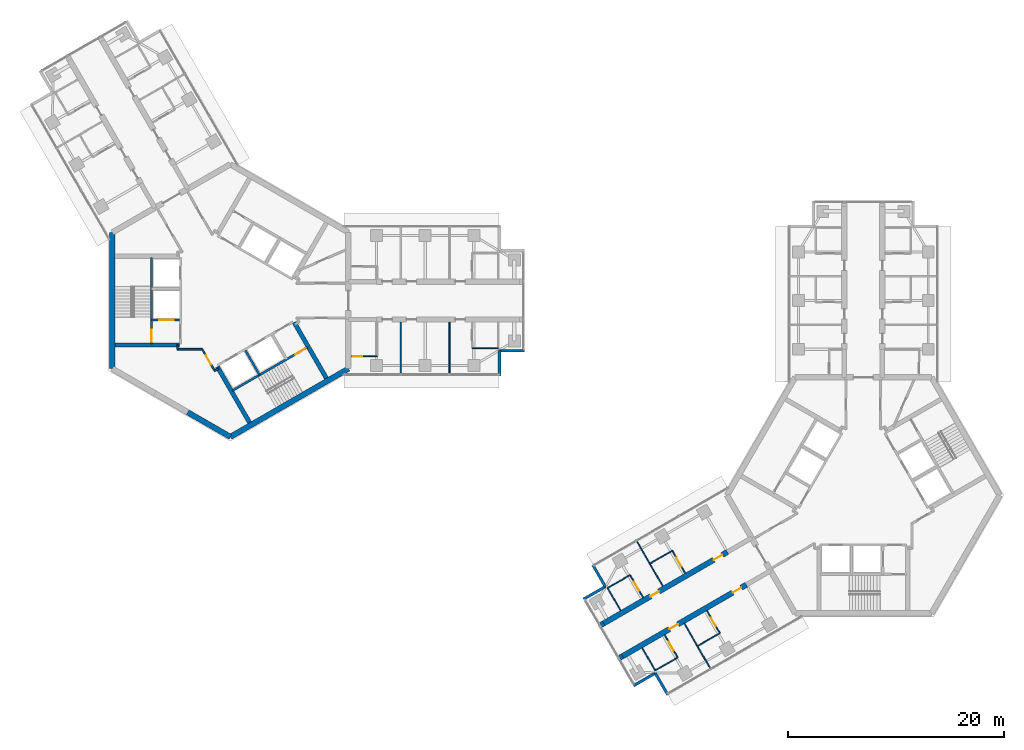
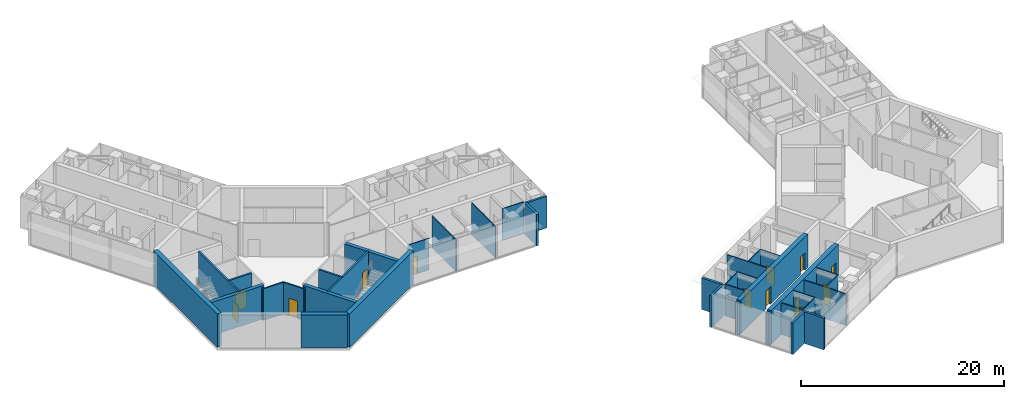
# One storey, part 11 of 18: 40 walls, 13 doors, 13 openings.
"""IFC4 building model written with IfcOpenShell, lengths in metres."""

from ifc_helpers import new_model, si_unit, direction, frame, frame_2d, origin, place, context, subcontext, project, spatial, rectangle, extrude, material, layer, layer_set, type_object, element, fill, save


model = new_model("IFC4")

# Units and contexts
model_context = context("Model", 3, precision=1e-05, world=origin(), true_north=direction((0.0, 1.0)))
body_context = subcontext(model_context, "Body", "Model", "MODEL_VIEW")
ifc_project = project(units=[si_unit("LENGTHUNIT", "METRE"), si_unit("AREAUNIT", "SQUARE_METRE"), si_unit("VOLUMEUNIT", "CUBIC_METRE"), si_unit("PLANEANGLEUNIT", "RADIAN"), si_unit("MASSUNIT", "GRAM", prefix="KILO")], contexts=[model_context])

# Site, building, storey
site_placement = place(None, origin())
site = spatial("IfcSite", under=ifc_project, at=site_placement, CompositionType="ELEMENT")
building_placement = place(site_placement, origin())
building = spatial("IfcBuilding", under=site, at=building_placement, Name="Upepo Twin Towers", CompositionType="ELEMENT")
storey_placement = place(building_placement, frame((0.0, 0.0, 222.5)))
storey = spatial("IfcBuildingStorey", under=building, at=storey_placement, Name="L54", CompositionType="ELEMENT", Elevation=222.5)

# Walls
ifc_material_1 = material(Name="Dense concrete blockwork", Category="masonry")
ifc_layer_1 = layer(ifc_material_1, 0.5)
ifc_layer_set_1 = layer_set([ifc_layer_1], Name="Buttress closer 500, blockwork with fire-stopping to the curtain wall")
wall_type_1 = type_object("IfcWallType", Name="Buttress closer 500, blockwork with fire-stopping to the curtain wall", PredefinedType="PARTITIONING", material=ifc_layer_set_1)
for number, where, z_axis, x_axis, name in (
    (1, (36.252197265625, -32.865478515625, 0.0), (0.0, 0.0, 1.0), (-0.86598763626, -0.500065409566, 0.0), "T2 L54 wing B buttress closer L"),
    (2, (34.502197265625, -29.83447265625, 0.0), (0.0, 0.0, 1.0), (-0.86598763626, -0.500065409566, 0.0), "T2 L54 wing B buttress closer R"),
):
    element("IfcWall", number, at=place(storey_placement, frame(where, z_axis=z_axis, x_axis=x_axis)), inside=storey, type_object=wall_type_1, Name=name, PredefinedType="PARTITIONING", context=body_context, shape_type="SweptSolid", body=[
        extrude(rectangle(XDim=0.28759765625, YDim=0.5, at=frame_2d((0.143798828125, 0.0))), origin(), (0.0, 0.0, 1.0), 3.800048828125),
    ])

# Wall, openings, doors
ifc_material_2 = material(Name="Concrete C60/75", Category="concrete")
ifc_layer_2 = layer(ifc_material_2, 0.5)
ifc_layer_set_2 = layer_set([ifc_layer_2], Name="Concrete C60/75")
wall_type_2 = type_object("IfcWallType", Name="Buttress wall 500 RC", PredefinedType="SHEAR", material=ifc_layer_set_2)
wall_1_placement = place(storey_placement, frame((47.68359375, -26.265625, 0.0), z_axis=(0.0, 0.0, 1.0), x_axis=(-0.866027579429, -0.499996231654, 0.0)))
wall_1 = element("IfcWall", 3, at=wall_1_placement, inside=storey, type_object=wall_type_2, Name="T2 wing B buttress wall L part 2", PredefinedType="SHEAR", context=body_context, shape_type="SweptSolid", body=[
    extrude(rectangle(XDim=13.19970703125, YDim=0.5, at=frame_2d((6.599853515625, 0.0))), origin(), (0.0, 0.0, 1.0), 4.0),
])
opening_1_placement = place(wall_1_placement, frame((0.550048828125, 0.0, 0.0)))
opening_1 = element("IfcOpeningElement", 4, at=opening_1_placement, cuts=wall_1, Name="Opening D14", PredefinedType="OPENING", context=body_context, shape_type="SweptSolid", body=[
    extrude(rectangle(XDim=0.89990234375, YDim=2.10009765625, at=frame_2d((0.449951171875, 1.050048828125))), frame((0.0, 0.260009765625, 0.0), z_axis=(0.0, -1.0, 0.0), x_axis=(1.0, 0.0, 0.0)), (0.0, 0.0, 1.0), 0.52001953125),
])
opening_2_placement = place(wall_1_placement, frame((7.300048828125, 0.0, 0.0)))
opening_2 = element("IfcOpeningElement", 5, at=opening_2_placement, cuts=wall_1, Name="Opening D14", PredefinedType="OPENING", context=body_context, shape_type="SweptSolid", body=[
    extrude(rectangle(XDim=0.89990234375, YDim=2.10009765625, at=frame_2d((0.449951171875, 1.050048828125))), frame((0.0, 0.260009765625, 0.0), z_axis=(0.0, -1.0, 0.0), x_axis=(1.0, 0.0, 0.0)), (0.0, 0.0, 1.0), 0.52001953125),
])
ifc_material_3 = material(Name="Timber doorset", Category="wood")
door_type_1 = type_object("IfcDoorType", Name="Office door 900 FD30", OperationType="SINGLE_SWING_LEFT", PredefinedType="DOOR", material=ifc_material_3)
door_1_placement = place(opening_1_placement, origin())
door_1 = element("IfcDoor", 6, at=door_1_placement, inside=storey, type_object=door_type_1, Name="T2 L54 business school suite door", OperationType="SINGLE_SWING_LEFT", OverallHeight=2.10009765625, OverallWidth=0.89990234375, PredefinedType="DOOR", context=body_context, shape_type="SweptSolid", body=[
    extrude(rectangle(XDim=0.89990234375, YDim=2.10009765625, at=frame_2d((0.449951171875, 1.050048828125))), frame((0.0, 0.02490234375, 0.0), z_axis=(0.0, -1.0, 0.0), x_axis=(1.0, 0.0, 0.0)), (0.0, 0.0, 1.0), 0.050048828125),
])
fill(opening_1, door_1)
door_2_placement = place(opening_2_placement, origin())
door_2 = element("IfcDoor", 7, at=door_2_placement, inside=storey, type_object=door_type_1, Name="T2 L54 staff office door", OperationType="SINGLE_SWING_RIGHT", OverallHeight=2.10009765625, OverallWidth=0.89990234375, PredefinedType="DOOR", context=body_context, shape_type="SweptSolid", body=[
    extrude(rectangle(XDim=0.89990234375, YDim=2.10009765625, at=frame_2d((0.449951171875, 1.050048828125))), frame((0.0, 0.02490234375, 0.0), z_axis=(0.0, -1.0, 0.0), x_axis=(1.0, 0.0, 0.0)), (0.0, 0.0, 1.0), 0.050048828125),
])
fill(opening_2, door_2)

wall_2_placement = place(storey_placement, frame((45.93359375, -23.234375, 0.0), z_axis=(0.0, 0.0, 1.0), x_axis=(-0.866019570528, -0.500010103361, 0.0)))
wall_2 = element("IfcWall", 8, at=wall_2_placement, inside=storey, type_object=wall_type_2, Name="T2 wing B buttress wall R part 2", PredefinedType="SHEAR", context=body_context, shape_type="SweptSolid", body=[
    extrude(rectangle(XDim=13.199951171875, YDim=0.5, at=frame_2d((6.60009765625, 0.0))), origin(), (0.0, 0.0, 1.0), 4.0),
])
opening_3_placement = place(wall_2_placement, frame((0.550048828125, 0.0, 0.0)))
opening_3 = element("IfcOpeningElement", 9, at=opening_3_placement, cuts=wall_2, Name="Opening D14", PredefinedType="OPENING", context=body_context, shape_type="SweptSolid", body=[
    extrude(rectangle(XDim=0.89990234375, YDim=2.10009765625, at=frame_2d((0.449951171875, 1.050048828125))), frame((0.0, 0.260009765625, 0.0), z_axis=(0.0, -1.0, 0.0), x_axis=(1.0, 0.0, 0.0)), (0.0, 0.0, 1.0), 0.52001953125),
])
opening_4_placement = place(wall_2_placement, frame((7.300048828125, 0.0, 0.0)))
opening_4 = element("IfcOpeningElement", 10, at=opening_4_placement, cuts=wall_2, Name="Opening D14", PredefinedType="OPENING", context=body_context, shape_type="SweptSolid", body=[
    extrude(rectangle(XDim=0.89990234375, YDim=2.10009765625, at=frame_2d((0.449951171875, 1.050048828125))), frame((0.0, 0.260009765625, 0.0), z_axis=(0.0, -1.0, 0.0), x_axis=(1.0, 0.0, 0.0)), (0.0, 0.0, 1.0), 0.52001953125),
])
door_3_placement = place(opening_3_placement, origin())
door_3 = element("IfcDoor", 11, at=door_3_placement, inside=storey, type_object=door_type_1, Name="T2 L54 business school suite door", OperationType="SINGLE_SWING_LEFT", OverallHeight=2.10009765625, OverallWidth=0.89990234375, PredefinedType="DOOR", context=body_context, shape_type="SweptSolid", body=[
    extrude(rectangle(XDim=0.89990234375, YDim=2.10009765625, at=frame_2d((0.449951171875, 1.050048828125))), frame((0.0, 0.02490234375, 0.0), z_axis=(0.0, -1.0, 0.0), x_axis=(1.0, 0.0, 0.0)), (0.0, 0.0, 1.0), 0.050048828125),
])
fill(opening_3, door_3)
door_4_placement = place(opening_4_placement, origin())
door_4 = element("IfcDoor", 12, at=door_4_placement, inside=storey, type_object=door_type_1, Name="T2 L54 meeting room door", OperationType="SINGLE_SWING_RIGHT", OverallHeight=2.10009765625, OverallWidth=0.89990234375, PredefinedType="DOOR", context=body_context, shape_type="SweptSolid", body=[
    extrude(rectangle(XDim=0.89990234375, YDim=2.10009765625, at=frame_2d((0.449951171875, 1.050048828125))), frame((0.0, 0.02490234375, 0.0), z_axis=(0.0, -1.0, 0.0), x_axis=(1.0, 0.0, 0.0)), (0.0, 0.0, 1.0), 0.050048828125),
])
fill(opening_4, door_4)

# Walls
ifc_material_4 = material(Name="Concrete C60/75", Category="concrete")
ifc_layer_3 = layer(ifc_material_4, 0.5)
ifc_layer_set_3 = layer_set([ifc_layer_3], Name="Concrete C60/75")
wall_type_3 = type_object("IfcWallType", Name="Core wall 500 RC", PredefinedType="SHEAR", material=ifc_layer_set_3)
wall_3_placement = place(storey_placement, frame((-10.908447265625, 6.2978515625, 0.0), z_axis=(0.0, 0.0, 1.0), x_axis=(0.0, -1.0, 0.0)))
element("IfcWall", 13, at=wall_3_placement, inside=storey, type_object=wall_type_3, Name="T1 core wall 180", PredefinedType="SHEAR", context=body_context, shape_type="SweptSolid", body=[
    extrude(rectangle(XDim=12.595703125, YDim=0.5, at=frame_2d((6.2978515625, 0.0))), origin(), (0.0, 0.0, 1.0), 4.0),
])
wall_4_placement = place(storey_placement, frame((-3.938720703125, -10.32177734375, 0.0), z_axis=(0.0, 0.0, 1.0), x_axis=(0.866011268655, -0.500024481964, 0.0)))
element("IfcWall", 14, at=wall_4_placement, inside=storey, type_object=wall_type_3, Name="T1 core wall 240 L", PredefinedType="SHEAR", context=body_context, shape_type="SweptSolid", body=[
    extrude(rectangle(XDim=4.548095703125, YDim=0.5, at=frame_2d((2.27392578125, 0.0))), origin(), (0.0, 0.0, 1.0), 4.0),
])
wall_5_placement = place(storey_placement, frame((0.0, -12.595947265625, 0.0), z_axis=(0.0, 0.0, 1.0), x_axis=(0.866021940709, 0.500005998175, 0.0)))
element("IfcWall", 15, at=wall_5_placement, inside=storey, type_object=wall_type_3, Name="T1 core wall 300", PredefinedType="SHEAR", context=body_context, shape_type="SweptSolid", body=[
    extrude(rectangle(XDim=12.595947265625, YDim=0.5, at=frame_2d((6.2978515625, 0.0))), origin(), (0.0, 0.0, 1.0), 4.0),
])
ifc_material_5 = material(Name="Blockwork with anodised aluminium cladding", Category="masonry")
ifc_layer_4 = layer(ifc_material_5, 0.25)
ifc_layer_set_4 = layer_set([ifc_layer_4], Name="Notch cladding wall 250, pale metal")
wall_type_4 = type_object("IfcWallType", Name="Notch cladding wall 250, pale metal", PredefinedType="STANDARD", material=ifc_layer_set_4)
for number, where, z_axis, x_axis, name in (
    (16, (24.875, -6.949951171875, 0.0), (0.0, 0.0, 1.0), (0.0, 1.0, 0.0), "T1 L54 wing A notch wall R1"),
    (17, (24.875, -4.625, 0.0), (0.0, 0.0, 1.0), (1.0, 0.0, 0.0), "T1 L54 wing A notch wall R2"),
    (18, (40.4326171875, -36.456298828125, 0.0), (0.0, 0.0, 1.0), (-0.500046648681, 0.865998469481, 0.0), "T2 L54 wing B notch wall L1"),
    (19, (39.27001953125, -34.44287109375, 0.0), (0.0, 0.0, 1.0), (-0.865998469481, -0.500046648681, 0.0), "T2 L54 wing B notch wall L2"),
    (20, (33.482666015625, -24.418701171875, 0.0), (0.0, 0.0, 1.0), (0.499967891604, -0.866043940782, 0.0), "T2 L54 wing B notch wall R1"),
    (21, (34.64501953125, -26.43212890625, 0.0), (0.0, 0.0, 1.0), (-0.865998469481, -0.500046648681, 0.0), "T2 L54 wing B notch wall R2"),
):
    element("IfcWall", number, at=place(storey_placement, frame(where, z_axis=z_axis, x_axis=x_axis)), inside=storey, type_object=wall_type_4, Name=name, PredefinedType="STANDARD", context=body_context, shape_type="SweptSolid", body=[
        extrude(rectangle(XDim=2.324951171875, YDim=0.25, at=frame_2d((1.16259765625, 0.0))), origin(), (0.0, 0.0, 1.0), 3.800048828125),
    ])
ifc_material_6 = material(Name="Gypsum board on steel studs", Category="steel")
ifc_layer_5 = layer(ifc_material_6, 0.10009765625)
ifc_layer_set_5 = layer_set([ifc_layer_5], Name="Office partition 100 stud")
wall_type_5 = type_object("IfcWallType", Name="Office partition 100 stud", PredefinedType="PARTITIONING", material=ifc_layer_set_5)
for number, where, z_axis, x_axis, name in (
    (22, (15.75, -2.0, 0.0), (0.0, 0.0, 1.0), (0.0, -1.0, 0.0), "T1 partition AR at 15.75"),
    (23, (20.25, -2.0, 0.0), (0.0, 0.0, 1.0), (0.0, -1.0, 0.0), "T1 partition AR at 20.25"),
):
    element("IfcWall", number, at=place(storey_placement, frame(where, z_axis=z_axis, x_axis=x_axis)), inside=storey, type_object=wall_type_5, Name=name, PredefinedType="PARTITIONING", context=body_context, shape_type="SweptSolid", body=[
        extrude(rectangle(XDim=4.75, YDim=0.10009765625, at=frame_2d((2.375, 0.0))), origin(), (0.0, 0.0, 1.0), 3.800048828125),
    ])
wall_6_placement = place(storey_placement, frame((22.35009765625, -4.39990234375, 0.0), z_axis=(0.0, 0.0, 1.0), x_axis=(1.0, 0.0, 0.0)))
element("IfcWall", 24, at=wall_6_placement, inside=storey, type_object=wall_type_5, Name="T1 inner room partition AR at 22.35", PredefinedType="PARTITIONING", context=body_context, shape_type="SweptSolid", body=[
    extrude(rectangle(XDim=2.39990234375, YDim=0.10009765625, at=frame_2d((1.199951171875, 0.0))), origin(), (0.0, 0.0, 1.0), 3.800048828125),
])

# Wall, opening, door
wall_7_placement = place(storey_placement, frame((11.157958984375, -5.14990234375, 0.0), z_axis=(0.0, 0.0, 1.0), x_axis=(1.0, 0.0, 0.0)))
wall_7 = element("IfcWall", 25, at=wall_7_placement, inside=storey, type_object=wall_type_5, Name="T1 WC bay partition AR at 11.16", PredefinedType="PARTITIONING", context=body_context, shape_type="SweptSolid", body=[
    extrude(rectangle(XDim=2.400146484375, YDim=0.10009765625, at=frame_2d((1.2001953125, 0.0))), origin(), (0.0, 0.0, 1.0), 3.800048828125),
])
opening_5_placement = place(wall_7_placement, frame((0.14990234375, 0.0, 0.0)))
opening_5 = element("IfcOpeningElement", 26, at=opening_5_placement, cuts=wall_7, Name="Opening D14", PredefinedType="OPENING", context=body_context, shape_type="SweptSolid", body=[
    extrude(rectangle(XDim=0.89990234375, YDim=2.10009765625, at=frame_2d((0.449951171875, 1.050048828125))), frame((0.0, 0.06005859375, 0.0), z_axis=(0.0, -1.0, 0.0), x_axis=(1.0, 0.0, 0.0)), (0.0, 0.0, 1.0), 0.1201171875),
])
door_5_placement = place(opening_5_placement, origin())
door_5 = element("IfcDoor", 27, at=door_5_placement, inside=storey, type_object=door_type_1, Name="T1 L54 WC bay inner room door", OperationType="SINGLE_SWING_LEFT", OverallHeight=2.10009765625, OverallWidth=0.89990234375, PredefinedType="DOOR", context=body_context, shape_type="SweptSolid", body=[
    extrude(rectangle(XDim=0.89990234375, YDim=2.10009765625, at=frame_2d((0.449951171875, 1.050048828125))), frame((0.0, 0.02490234375, 0.0), z_axis=(0.0, -1.0, 0.0), x_axis=(1.0, 0.0, 0.0)), (0.0, 0.0, 1.0), 0.050048828125),
])
fill(opening_5, door_5)

# Walls
wall_8_placement = place(storey_placement, frame((41.962890625, -29.85693359375, 0.0), z_axis=(0.0, 0.0, 1.0), x_axis=(0.499986429846, -0.866033238375, 0.0)))
element("IfcWall", 28, at=wall_8_placement, inside=storey, type_object=wall_type_5, Name="T2 partition BL at 20.25", PredefinedType="PARTITIONING", context=body_context, shape_type="SweptSolid", body=[
    extrude(rectangle(XDim=4.750244140625, YDim=0.10009765625, at=frame_2d((2.375, 0.0))), origin(), (0.0, 0.0, 1.0), 3.800048828125),
])
wall_9_placement = place(storey_placement, frame((45.241455078125, -30.735595703125, 0.0), z_axis=(0.0, 0.0, 1.0), x_axis=(-0.866024647952, -0.500001309137, 0.0)))
element("IfcWall", 29, at=wall_9_placement, inside=storey, type_object=wall_type_5, Name="T2 inner room partition BL at 17.85", PredefinedType="PARTITIONING", context=body_context, shape_type="SweptSolid", body=[
    extrude(rectangle(XDim=2.39990234375, YDim=0.10009765625, at=frame_2d((1.199951171875, 0.0))), origin(), (0.0, 0.0, 1.0), 3.800048828125),
])

# Wall, opening, door
wall_10_placement = place(storey_placement, frame((44.04150390625, -28.656982421875, 0.0), z_axis=(0.0, 0.0, 1.0), x_axis=(0.499957262057, -0.866050077142, 0.0)))
wall_10 = element("IfcWall", 30, at=wall_10_placement, inside=storey, type_object=wall_type_5, Name="T2 inner room partition BL end at 17.85", PredefinedType="PARTITIONING", context=body_context, shape_type="SweptSolid", body=[
    extrude(rectangle(XDim=2.400146484375, YDim=0.10009765625, at=frame_2d((1.2001953125, 0.0))), origin(), (0.0, 0.0, 1.0), 3.800048828125),
])
opening_6_placement = place(wall_10_placement, frame((0.75, 0.0, 0.0)))
opening_6 = element("IfcOpeningElement", 31, at=opening_6_placement, cuts=wall_10, Name="Opening D14", PredefinedType="OPENING", context=body_context, shape_type="SweptSolid", body=[
    extrude(rectangle(XDim=0.89990234375, YDim=2.10009765625, at=frame_2d((0.449951171875, 1.050048828125))), frame((0.0, 0.06005859375, 0.0), z_axis=(0.0, -1.0, 0.0), x_axis=(1.0, 0.0, 0.0)), (0.0, 0.0, 1.0), 0.1201171875),
])
door_6_placement = place(opening_6_placement, origin())
door_6 = element("IfcDoor", 32, at=door_6_placement, inside=storey, type_object=door_type_1, Name="T2 L54 inner room door", OperationType="SINGLE_SWING_LEFT", OverallHeight=2.10009765625, OverallWidth=0.89990234375, PredefinedType="DOOR", context=body_context, shape_type="SweptSolid", body=[
    extrude(rectangle(XDim=0.89990234375, YDim=2.10009765625, at=frame_2d((0.449951171875, 1.050048828125))), frame((0.0, 0.02490234375, 0.0), z_axis=(0.0, -1.0, 0.0), x_axis=(1.0, 0.0, 0.0)), (0.0, 0.0, 1.0), 0.050048828125),
])
fill(opening_6, door_6)

# Wall
wall_11_placement = place(storey_placement, frame((41.34423828125, -32.985595703125, 0.0), z_axis=(0.0, 0.0, 1.0), x_axis=(-0.866024647952, -0.500001309137, 0.0)))
element("IfcWall", 33, at=wall_11_placement, inside=storey, type_object=wall_type_5, Name="T2 inner room partition BL at 22.35", PredefinedType="PARTITIONING", context=body_context, shape_type="SweptSolid", body=[
    extrude(rectangle(XDim=2.39990234375, YDim=0.10009765625, at=frame_2d((1.199951171875, 0.0))), origin(), (0.0, 0.0, 1.0), 3.800048828125),
])

# Wall, opening, door
wall_12_placement = place(storey_placement, frame((40.144287109375, -30.906982421875, 0.0), z_axis=(0.0, 0.0, 1.0), x_axis=(0.499957262057, -0.866050077142, 0.0)))
wall_12 = element("IfcWall", 34, at=wall_12_placement, inside=storey, type_object=wall_type_5, Name="T2 inner room partition BL end at 22.35", PredefinedType="PARTITIONING", context=body_context, shape_type="SweptSolid", body=[
    extrude(rectangle(XDim=2.400146484375, YDim=0.10009765625, at=frame_2d((1.2001953125, 0.0))), origin(), (0.0, 0.0, 1.0), 3.800048828125),
])
opening_7_placement = place(wall_12_placement, frame((0.75, 0.0, 0.0)))
opening_7 = element("IfcOpeningElement", 35, at=opening_7_placement, cuts=wall_12, Name="Opening D14", PredefinedType="OPENING", context=body_context, shape_type="SweptSolid", body=[
    extrude(rectangle(XDim=0.89990234375, YDim=2.10009765625, at=frame_2d((0.449951171875, 1.050048828125))), frame((0.0, 0.06005859375, 0.0), z_axis=(0.0, -1.0, 0.0), x_axis=(1.0, 0.0, 0.0)), (0.0, 0.0, 1.0), 0.1201171875),
])
door_7_placement = place(opening_7_placement, origin())
door_7 = element("IfcDoor", 36, at=door_7_placement, inside=storey, type_object=door_type_1, Name="T2 L54 inner room door", OperationType="SINGLE_SWING_LEFT", OverallHeight=2.10009765625, OverallWidth=0.89990234375, PredefinedType="DOOR", context=body_context, shape_type="SweptSolid", body=[
    extrude(rectangle(XDim=0.89990234375, YDim=2.10009765625, at=frame_2d((0.449951171875, 1.050048828125))), frame((0.0, 0.02490234375, 0.0), z_axis=(0.0, -1.0, 0.0), x_axis=(1.0, 0.0, 0.0)), (0.0, 0.0, 1.0), 0.050048828125),
])
fill(opening_7, door_7)

# Walls
wall_13_placement = place(storey_placement, frame((38.06591796875, -32.10693359375, 0.0), z_axis=(0.0, 0.0, 1.0), x_axis=(0.499957262057, -0.866050077142, 0.0)))
element("IfcWall", 37, at=wall_13_placement, inside=storey, type_object=wall_type_5, Name="T2 inner room partition BL end at 24.75", PredefinedType="PARTITIONING", context=body_context, shape_type="SweptSolid", body=[
    extrude(rectangle(XDim=2.400146484375, YDim=0.10009765625, at=frame_2d((1.2001953125, 0.0))), origin(), (0.0, 0.0, 1.0), 3.800048828125),
])
wall_14_placement = place(storey_placement, frame((39.962890625, -26.39306640625, 0.0), z_axis=(0.0, 0.0, 1.0), x_axis=(-0.499986429846, 0.866033238375, 0.0)))
element("IfcWall", 38, at=wall_14_placement, inside=storey, type_object=wall_type_5, Name="T2 partition BR at 20.25", PredefinedType="PARTITIONING", context=body_context, shape_type="SweptSolid", body=[
    extrude(rectangle(XDim=4.750244140625, YDim=0.10009765625, at=frame_2d((2.375, 0.0))), origin(), (0.0, 0.0, 1.0), 3.800048828125),
])
wall_15_placement = place(storey_placement, frame((40.841552734375, -23.114501953125, 0.0), z_axis=(0.0, 0.0, 1.0), x_axis=(-0.866050077142, -0.499957262057, 0.0)))
element("IfcWall", 39, at=wall_15_placement, inside=storey, type_object=wall_type_5, Name="T2 inner room partition BR at 17.85", PredefinedType="PARTITIONING", context=body_context, shape_type="SweptSolid", body=[
    extrude(rectangle(XDim=2.400146484375, YDim=0.10009765625, at=frame_2d((1.2001953125, 0.0))), origin(), (0.0, 0.0, 1.0), 3.800048828125),
])

# Wall, opening, door
wall_16_placement = place(storey_placement, frame((42.04150390625, -25.19287109375, 0.0), z_axis=(0.0, 0.0, 1.0), x_axis=(-0.500001309137, 0.866024647952, 0.0)))
wall_16 = element("IfcWall", 40, at=wall_16_placement, inside=storey, type_object=wall_type_5, Name="T2 inner room partition BR end at 17.85", PredefinedType="PARTITIONING", context=body_context, shape_type="SweptSolid", body=[
    extrude(rectangle(XDim=2.39990234375, YDim=0.10009765625, at=frame_2d((1.199951171875, 0.0))), origin(), (0.0, 0.0, 1.0), 3.800048828125),
])
opening_8_placement = place(wall_16_placement, frame((0.75, 0.0, 0.0)))
opening_8 = element("IfcOpeningElement", 41, at=opening_8_placement, cuts=wall_16, Name="Opening D14", PredefinedType="OPENING", context=body_context, shape_type="SweptSolid", body=[
    extrude(rectangle(XDim=0.89990234375, YDim=2.10009765625, at=frame_2d((0.449951171875, 1.050048828125))), frame((0.0, 0.06005859375, 0.0), z_axis=(0.0, -1.0, 0.0), x_axis=(1.0, 0.0, 0.0)), (0.0, 0.0, 1.0), 0.1201171875),
])
door_8_placement = place(opening_8_placement, origin())
door_8 = element("IfcDoor", 42, at=door_8_placement, inside=storey, type_object=door_type_1, Name="T2 L54 inner room door", OperationType="SINGLE_SWING_LEFT", OverallHeight=2.10009765625, OverallWidth=0.89990234375, PredefinedType="DOOR", context=body_context, shape_type="SweptSolid", body=[
    extrude(rectangle(XDim=0.89990234375, YDim=2.10009765625, at=frame_2d((0.449951171875, 1.050048828125))), frame((0.0, 0.02490234375, 0.0), z_axis=(0.0, -1.0, 0.0), x_axis=(1.0, 0.0, 0.0)), (0.0, 0.0, 1.0), 0.050048828125),
])
fill(opening_8, door_8)

# Wall
wall_17_placement = place(storey_placement, frame((36.9443359375, -25.364501953125, 0.0), z_axis=(0.0, 0.0, 1.0), x_axis=(-0.866024647952, -0.500001309137, 0.0)))
element("IfcWall", 43, at=wall_17_placement, inside=storey, type_object=wall_type_5, Name="T2 inner room partition BR at 22.35", PredefinedType="PARTITIONING", context=body_context, shape_type="SweptSolid", body=[
    extrude(rectangle(XDim=2.39990234375, YDim=0.10009765625, at=frame_2d((1.199951171875, 0.0))), origin(), (0.0, 0.0, 1.0), 3.800048828125),
])

# Wall, opening, door
wall_18_placement = place(storey_placement, frame((38.144287109375, -27.44287109375, 0.0), z_axis=(0.0, 0.0, 1.0), x_axis=(-0.500001309137, 0.866024647952, 0.0)))
wall_18 = element("IfcWall", 44, at=wall_18_placement, inside=storey, type_object=wall_type_5, Name="T2 inner room partition BR end at 22.35", PredefinedType="PARTITIONING", context=body_context, shape_type="SweptSolid", body=[
    extrude(rectangle(XDim=2.39990234375, YDim=0.10009765625, at=frame_2d((1.199951171875, 0.0))), origin(), (0.0, 0.0, 1.0), 3.800048828125),
])
opening_9_placement = place(wall_18_placement, frame((0.75, 0.0, 0.0)))
opening_9 = element("IfcOpeningElement", 45, at=opening_9_placement, cuts=wall_18, Name="Opening D14", PredefinedType="OPENING", context=body_context, shape_type="SweptSolid", body=[
    extrude(rectangle(XDim=0.89990234375, YDim=2.10009765625, at=frame_2d((0.449951171875, 1.050048828125))), frame((0.0, 0.06005859375, 0.0), z_axis=(0.0, -1.0, 0.0), x_axis=(1.0, 0.0, 0.0)), (0.0, 0.0, 1.0), 0.1201171875),
])
door_9_placement = place(opening_9_placement, origin())
door_9 = element("IfcDoor", 46, at=door_9_placement, inside=storey, type_object=door_type_1, Name="T2 L54 inner room door", OperationType="SINGLE_SWING_LEFT", OverallHeight=2.10009765625, OverallWidth=0.89990234375, PredefinedType="DOOR", context=body_context, shape_type="SweptSolid", body=[
    extrude(rectangle(XDim=0.89990234375, YDim=2.10009765625, at=frame_2d((0.449951171875, 1.050048828125))), frame((0.0, 0.02490234375, 0.0), z_axis=(0.0, -1.0, 0.0), x_axis=(1.0, 0.0, 0.0)), (0.0, 0.0, 1.0), 0.050048828125),
])
fill(opening_9, door_9)

# Wall
wall_19_placement = place(storey_placement, frame((36.06591796875, -28.64306640625, 0.0), z_axis=(0.0, 0.0, 1.0), x_axis=(-0.499957262057, 0.866050077142, 0.0)))
element("IfcWall", 47, at=wall_19_placement, inside=storey, type_object=wall_type_5, Name="T2 inner room partition BR end at 24.75", PredefinedType="PARTITIONING", context=body_context, shape_type="SweptSolid", body=[
    extrude(rectangle(XDim=2.400146484375, YDim=0.10009765625, at=frame_2d((1.2001953125, 0.0))), origin(), (0.0, 0.0, 1.0), 3.800048828125),
])

# Wall, opening, door
ifc_material_7 = material(Name="Concrete C40/50", Category="concrete")
ifc_layer_6 = layer(ifc_material_7, 0.199951171875)
ifc_layer_set_6 = layer_set([ifc_layer_6], Name="Concrete C40/50")
wall_type_6 = type_object("IfcWallType", Name="Shaft wall 200 RC", PredefinedType="SHEAR", material=ifc_layer_set_6)
wall_20_placement = place(storey_placement, frame((-4.699951171875, -1.800048828125, 0.0), z_axis=(0.0, 0.0, 1.0), x_axis=(-1.0, 0.0, 0.0)))
wall_20 = element("IfcWall", 48, at=wall_20_placement, inside=storey, type_object=wall_type_6, Name="T1 core W180 lobby wall", PredefinedType="SHEAR", context=body_context, shape_type="SweptSolid", body=[
    extrude(rectangle(XDim=2.60009765625, YDim=0.199951171875, at=frame_2d((1.300048828125, 0.0))), origin(), (0.0, 0.0, 1.0), 4.0),
])
opening_10_placement = place(wall_20_placement, frame((0.550048828125, 0.0, 0.0)))
opening_10 = element("IfcOpeningElement", 49, at=opening_10_placement, cuts=wall_20, Name="Opening LD2", PredefinedType="OPENING", context=body_context, shape_type="SweptSolid", body=[
    extrude(rectangle(XDim=1.300048828125, YDim=2.199951171875, at=frame_2d((0.64990234375, 1.10009765625))), frame((0.0, 0.10986328125, 0.0), z_axis=(0.0, -1.0, 0.0), x_axis=(1.0, 0.0, 0.0)), (0.0, 0.0, 1.0), 0.219970703125),
])
ifc_material_8 = material(Name="Steel doorset", Category="steel")
door_type_2 = type_object("IfcDoorType", Name="Firefighting lift landing door 1300", OperationType="DOUBLE_DOOR_SLIDING", PredefinedType="DOOR", material=ifc_material_8)
door_10_placement = place(opening_10_placement, origin())
door_10 = element("IfcDoor", 50, at=door_10_placement, inside=storey, type_object=door_type_2, Name="T1 L54 firefighting lift landing door", OperationType="DOUBLE_DOOR_SLIDING", OverallHeight=2.199951171875, OverallWidth=1.300048828125, PredefinedType="DOOR", context=body_context, shape_type="SweptSolid", body=[
    extrude(rectangle(XDim=1.300048828125, YDim=2.199951171875, at=frame_2d((0.64990234375, 1.10009765625))), frame((0.0, 0.02490234375, 0.0), z_axis=(0.0, -1.0, 0.0), x_axis=(1.0, 0.0, 0.0)), (0.0, 0.0, 1.0), 0.050048828125),
])
fill(opening_10, door_10)

wall_21_placement = place(storey_placement, frame((-7.300048828125, 4.0, 0.0), z_axis=(0.0, 0.0, 1.0), x_axis=(0.0, -1.0, 0.0)))
wall_21 = element("IfcWall", 51, at=wall_21_placement, inside=storey, type_object=wall_type_6, Name="T1 core W180 stair wall", PredefinedType="SHEAR", context=body_context, shape_type="SweptSolid", body=[
    extrude(rectangle(XDim=8.0, YDim=0.199951171875, at=frame_2d((4.0, 0.0))), origin(), (0.0, 0.0, 1.0), 4.0),
])
opening_11_placement = place(wall_21_placement, frame((6.699951171875, 0.0, 0.0)))
opening_11 = element("IfcOpeningElement", 52, at=opening_11_placement, cuts=wall_21, Name="Opening D3", PredefinedType="OPENING", context=body_context, shape_type="SweptSolid", body=[
    extrude(rectangle(XDim=1.10009765625, YDim=2.10009765625, at=frame_2d((0.550048828125, 1.050048828125))), frame((0.0, 0.10986328125, 0.0), z_axis=(0.0, -1.0, 0.0), x_axis=(1.0, 0.0, 0.0)), (0.0, 0.0, 1.0), 0.219970703125),
])
ifc_material_9 = material(Name="Timber doorset", Category="wood")
door_type_3 = type_object("IfcDoorType", Name="Stair door 1100 FD60", OperationType="SINGLE_SWING_LEFT", PredefinedType="DOOR", material=ifc_material_9)
door_11_placement = place(opening_11_placement, origin())
door_11 = element("IfcDoor", 53, at=door_11_placement, inside=storey, type_object=door_type_3, Name="T1 L54 stair door", OperationType="SINGLE_SWING_RIGHT", OverallHeight=2.10009765625, OverallWidth=1.10009765625, PredefinedType="DOOR", context=body_context, shape_type="SweptSolid", body=[
    extrude(rectangle(XDim=1.10009765625, YDim=2.10009765625, at=frame_2d((0.550048828125, 1.050048828125))), frame((0.0, 0.02490234375, 0.0), z_axis=(0.0, -1.0, 0.0), x_axis=(1.0, 0.0, 0.0)), (0.0, 0.0, 1.0), 0.050048828125),
])
fill(opening_11, door_11)

# Wall
wall_22_placement = place(storey_placement, frame((1.3974609375, -4.620361328125, 0.0), z_axis=(0.0, 0.0, 1.0), x_axis=(0.499936506574, -0.866062058628, 0.0)))
element("IfcWall", 54, at=wall_22_placement, inside=storey, type_object=wall_type_6, Name="T1 core W300 shaft divider", PredefinedType="SHEAR", context=body_context, shape_type="SweptSolid", body=[
    extrude(rectangle(XDim=2.599853515625, YDim=0.199951171875, at=frame_2d((1.2998046875, 0.0))), origin(), (0.0, 0.0, 1.0), 4.0),
])

# Wall, opening, door
wall_23_placement = place(storey_placement, frame((0.185791015625, -8.322021484375, 0.0), z_axis=(0.0, 0.0, 1.0), x_axis=(0.866026010844, 0.49999894854, 0.0)))
wall_23 = element("IfcWall", 55, at=wall_23_placement, inside=storey, type_object=wall_type_6, Name="T1 core W300 stair wall", PredefinedType="SHEAR", context=body_context, shape_type="SweptSolid", body=[
    extrude(rectangle(XDim=8.0, YDim=0.199951171875, at=frame_2d((4.0, 0.0))), origin(), (0.0, 0.0, 1.0), 4.0),
])
opening_12_placement = place(wall_23_placement, frame((6.699951171875, 0.0, 0.0)))
opening_12 = element("IfcOpeningElement", 56, at=opening_12_placement, cuts=wall_23, Name="Opening D3", PredefinedType="OPENING", context=body_context, shape_type="SweptSolid", body=[
    extrude(rectangle(XDim=1.10009765625, YDim=2.10009765625, at=frame_2d((0.550048828125, 1.050048828125))), frame((0.0, 0.10986328125, 0.0), z_axis=(0.0, -1.0, 0.0), x_axis=(1.0, 0.0, 0.0)), (0.0, 0.0, 1.0), 0.219970703125),
])
door_12_placement = place(opening_12_placement, origin())
door_12 = element("IfcDoor", 57, at=door_12_placement, inside=storey, type_object=door_type_3, Name="T1 L54 stair door", OperationType="SINGLE_SWING_RIGHT", OverallHeight=2.10009765625, OverallWidth=1.10009765625, PredefinedType="DOOR", context=body_context, shape_type="SweptSolid", body=[
    extrude(rectangle(XDim=1.10009765625, YDim=2.10009765625, at=frame_2d((0.550048828125, 1.050048828125))), frame((0.0, 0.02490234375, 0.0), z_axis=(0.0, -1.0, 0.0), x_axis=(1.0, 0.0, 0.0)), (0.0, 0.0, 1.0), 0.050048828125),
])
fill(opening_12, door_12)

# Walls
ifc_material_10 = material(Name="Concrete C40/50", Category="concrete")
ifc_layer_7 = layer(ifc_material_10, 0.39990234375)
ifc_layer_set_7 = layer_set([ifc_layer_7], Name="Concrete C40/50")
wall_type_7 = type_object("IfcWallType", Name="Shaft wall 400 RC", PredefinedType="SHEAR", material=ifc_layer_set_7)
for number, where, z_axis, x_axis, name in (
    (58, (-4.699951171875, -4.10009765625, 0.0), (0.0, 0.0, 1.0), (-1.0, 0.0, 0.0), "T1 core W180 side wall N"),
    (59, (5.900634765625, -2.020263671875, 0.0), (0.0, 0.0, 1.0), (0.500003832394, -0.86602319114, 0.0), "T1 core W300 side wall N"),
):
    element("IfcWall", number, at=place(storey_placement, frame(where, z_axis=z_axis, x_axis=x_axis)), inside=storey, type_object=wall_type_7, Name=name, PredefinedType="SHEAR", context=body_context, shape_type="SweptSolid", body=[
        extrude(rectangle(XDim=5.95849609375, YDim=0.39990234375, at=frame_2d((2.979248046875, 0.0))), origin(), (0.0, 0.0, 1.0), 4.0),
    ])
wall_24_placement = place(storey_placement, frame((-1.20068359375, -6.120361328125, 0.0), z_axis=(0.0, 0.0, 1.0), x_axis=(0.500021575205, -0.866012946976, 0.0)))
element("IfcWall", 60, at=wall_24_placement, inside=storey, type_object=wall_type_7, Name="T1 core W300 side wall S", PredefinedType="SHEAR", context=body_context, shape_type="SweptSolid", body=[
    extrude(rectangle(XDim=5.958251953125, YDim=0.39990234375, at=frame_2d((2.97900390625, 0.0))), origin(), (0.0, 0.0, 1.0), 4.0),
])
ifc_material_11 = material(Name="Gypsum board on steel studs", Category="steel")
ifc_layer_8 = layer(ifc_material_11, 0.14990234375)
ifc_layer_set_8 = layer_set([ifc_layer_8], Name="Teaching partition 150 acoustic")
wall_type_8 = type_object("IfcWallType", Name="Teaching partition 150 acoustic", PredefinedType="PARTITIONING", material=ifc_layer_set_8)
wall_25_placement = place(storey_placement, frame((-1.092041015625, -6.28857421875, 0.0), z_axis=(0.0, 0.0, 1.0), x_axis=(-0.866138304741, -0.499804398801, 0.0)))
element("IfcWall", 61, at=wall_25_placement, inside=storey, type_object=wall_type_8, Name="T1 core room partition 2", PredefinedType="PARTITIONING", context=body_context, shape_type="SweptSolid", body=[
    extrude(rectangle(XDim=0.429931640625, YDim=0.14990234375, at=frame_2d((0.21484375, 0.0))), origin(), (0.0, 0.0, 1.0), 3.800048828125),
])

# Wall, opening, door
wall_26_placement = place(storey_placement, frame((-1.43701171875, -6.5107421875, 0.0), z_axis=(0.0, 0.0, 1.0), x_axis=(-0.500074377092, 0.865982457891, 0.0)))
wall_26 = element("IfcWall", 62, at=wall_26_placement, inside=storey, type_object=wall_type_8, Name="T1 core room partition 3", PredefinedType="PARTITIONING", context=body_context, shape_type="SweptSolid", body=[
    extrude(rectangle(XDim=2.342041015625, YDim=0.14990234375, at=frame_2d((1.1708984375, 0.0))), origin(), (0.0, 0.0, 1.0), 3.800048828125),
])
opening_13_placement = place(wall_26_placement, frame((0.6708984375, 0.0, 0.0)))
opening_13 = element("IfcOpeningElement", 63, at=opening_13_placement, cuts=wall_26, Name="Opening D1", PredefinedType="OPENING", context=body_context, shape_type="SweptSolid", body=[
    extrude(rectangle(XDim=1.0, YDim=2.10009765625, at=frame_2d((0.5, 1.050048828125))), frame((0.0, 0.0849609375, 0.0), z_axis=(0.0, -1.0, 0.0), x_axis=(1.0, 0.0, 0.0)), (0.0, 0.0, 1.0), 0.169921875),
])
ifc_material_12 = material(Name="Timber doorset", Category="wood")
door_type_4 = type_object("IfcDoorType", Name="Room door 1000 FD30", OperationType="SINGLE_SWING_LEFT", PredefinedType="DOOR", material=ifc_material_12)
door_13_placement = place(opening_13_placement, origin())
door_13 = element("IfcDoor", 64, at=door_13_placement, inside=storey, type_object=door_type_4, Name="T1 L54 core room door K1", OperationType="SINGLE_SWING_RIGHT", OverallHeight=2.10009765625, OverallWidth=1.0, PredefinedType="DOOR", context=body_context, shape_type="SweptSolid", body=[
    extrude(rectangle(XDim=1.0, YDim=2.10009765625, at=frame_2d((0.5, 1.050048828125))), frame((0.0, 0.02490234375, 0.0), z_axis=(0.0, -1.0, 0.0), x_axis=(1.0, 0.0, 0.0)), (0.0, 0.0, 1.0), 0.050048828125),
])
fill(opening_13, door_13)

# Walls
wall_27_placement = place(storey_placement, frame((-2.578125, -4.5, 0.0), z_axis=(0.0, 0.0, 1.0), x_axis=(-1.0, 0.0, 0.0)))
element("IfcWall", 65, at=wall_27_placement, inside=storey, type_object=wall_type_8, Name="T1 core room partition 4", PredefinedType="PARTITIONING", context=body_context, shape_type="SweptSolid", body=[
    extrude(rectangle(XDim=2.341796875, YDim=0.14990234375, at=frame_2d((1.1708984375, 0.0))), origin(), (0.0, 0.0, 1.0), 3.800048828125),
])
wall_28_placement = place(storey_placement, frame((-4.89990234375, -4.52001953125, 0.0), z_axis=(0.0, 0.0, 1.0), x_axis=(0.0, 1.0, 0.0)))
element("IfcWall", 66, at=wall_28_placement, inside=storey, type_object=wall_type_8, Name="T1 core room partition 5", PredefinedType="PARTITIONING", context=body_context, shape_type="SweptSolid", body=[
    extrude(rectangle(XDim=0.429931640625, YDim=0.14990234375, at=frame_2d((0.21484375, 0.0))), origin(), (0.0, 0.0, 1.0), 3.800048828125),
])

save(model, "model.ifc")
